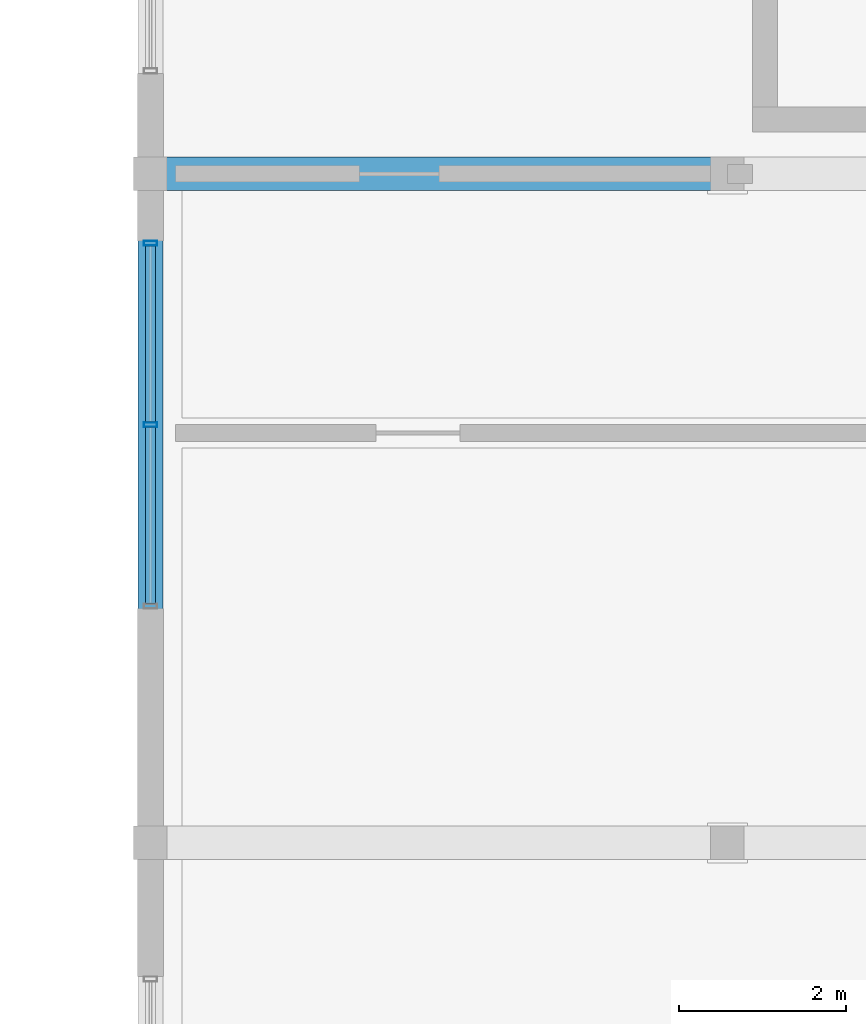
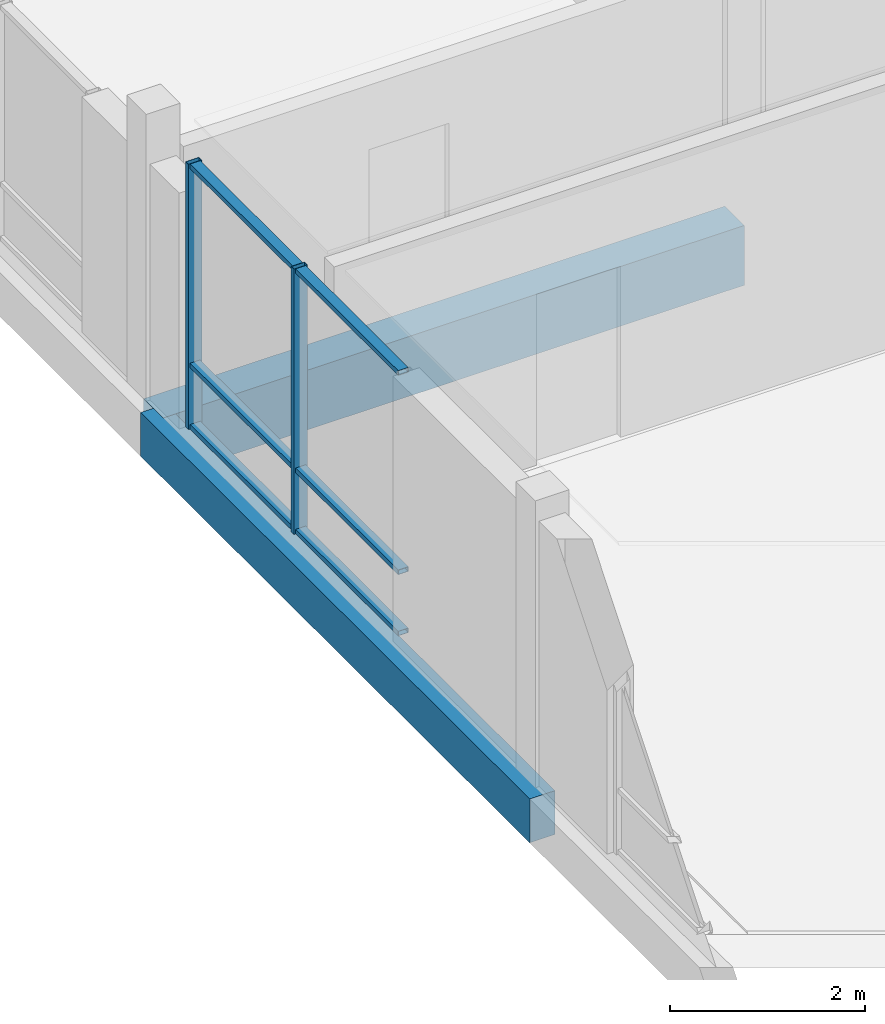
# One storey, part 68 of 189: 8 members, 2 beams, 1 element without a shape of its own.
"""IFC4 building model written with IfcOpenShell, lengths in metres."""

from ifc_helpers import new_model, si_unit, direction, frame, origin, origin_2d, place, context, subcontext, project, spatial, rectangle, hollow_rectangle, extrude, material, material_profile, profile_set, type_object, element, aggregate, save


model = new_model("IFC4")

# Units and contexts
model_context = context("Model", 3, precision=1e-05, world=origin(), true_north=direction((0.0, 1.0)))
body_context = subcontext(model_context, "Body", "Model", "MODEL_VIEW")
ifc_project = project(units=[si_unit("LENGTHUNIT", "METRE"), si_unit("AREAUNIT", "SQUARE_METRE"), si_unit("VOLUMEUNIT", "CUBIC_METRE"), si_unit("PLANEANGLEUNIT", "RADIAN"), si_unit("MASSUNIT", "GRAM", prefix="KILO")], contexts=[model_context])

# Site, building, storey
site_placement = place(None, origin())
site = spatial("IfcSite", under=ifc_project, at=site_placement, CompositionType="ELEMENT")
building_placement = place(site_placement, origin())
building = spatial("IfcBuilding", under=site, at=building_placement, Name="Zavelmont Quarter", CompositionType="ELEMENT")
storey_placement = place(building_placement, frame((0.0, 0.0, 4.39990234375)))
storey = spatial("IfcBuildingStorey", under=building, at=storey_placement, Name="L01", CompositionType="ELEMENT", Elevation=4.39990234375)

# Beams
ifc_material_1 = material(Name="Concrete C35/45", Category="concrete")
ifc_material_profile_1 = material_profile(ifc_material_1, rectangle(XDim=0.300048828125, YDim=0.550048828125, at=origin_2d()), Name="RC300X550")
ifc_profile_set_1 = profile_set([ifc_material_profile_1], Name="Concrete C35/45")
beam_type_1 = type_object("IfcBeamType", Name="BM02", PredefinedType="SPANDREL", material=ifc_profile_set_1)
beam_1_placement = place(storey_placement, frame((0.0, 70.0, -0.554931640625), z_axis=(0.0, 1.0, 0.0), x_axis=(-1.0, 0.0, 0.0)))
element("IfcBeam", 1, at=beam_1_placement, inside=storey, type_object=beam_type_1, Name="L01 beam BM02 1/L to 1/M", PredefinedType="SPANDREL", context=body_context, shape_type="SweptSolid", body=[
    extrude(rectangle(XDim=0.300048828125, YDim=0.550048828125, at=origin_2d()), origin(), (0.0, 0.0, 1.0), 8.0),
])
ifc_material_2 = material(Name="Concrete C40/50", Category="concrete")
ifc_material_profile_2 = material_profile(ifc_material_2, rectangle(XDim=0.39990234375, YDim=0.75, at=origin_2d()), Name="RC400X750")
ifc_profile_set_2 = profile_set([ifc_material_profile_2], Name="Concrete C40/50")
beam_type_2 = type_object("IfcBeamType", Name="BM05", PredefinedType="BEAM", material=ifc_profile_set_2)
beam_2_placement = place(storey_placement, frame((0.0, 78.0, -0.65478515625), z_axis=(1.0, 0.0, 0.0), x_axis=(0.0, 1.0, 0.0)))
element("IfcBeam", 2, at=beam_2_placement, inside=storey, type_object=beam_type_2, Name="L01 beam BM05 1/M to 2/M", PredefinedType="BEAM", context=body_context, shape_type="SweptSolid", body=[
    extrude(rectangle(XDim=0.39990234375, YDim=0.75, at=origin_2d()), origin(), (0.0, 0.0, 1.0), 6.89990234375),
])

# Curtain wall, members
ifc_material_3 = material(Name="Thermally broken aluminium and double low-E safety glazing", Category="aluminium")
curtain_wall_type = type_object("IfcCurtainWallType", Name="CW-440X333", PredefinedType="NOTDEFINED", material=ifc_material_3)
curtain_wall_placement = place(storey_placement, origin())
curtain_wall = element("IfcCurtainWall", 3, at=curtain_wall_placement, inside=storey, type_object=curtain_wall_type, Name="L01 unitised curtain wall CW-440X333", PredefinedType="NOTDEFINED")
ifc_material_4 = material(Name="Powder-coated aluminium EN AW-6063-T6", Category="aluminium")
ifc_material_profile_3 = material_profile(ifc_material_4, hollow_rectangle(XDim=0.06005859375, YDim=0.159912109375, WallThickness=0.00390625, at=origin_2d()), Name="CWM60X160")
ifc_profile_set_3 = profile_set([ifc_material_profile_3], Name="Powder-coated aluminium EN AW-6063-T6")
member_type_1 = type_object("IfcMemberType", Name="CWM01", PredefinedType="MULLION", material=ifc_profile_set_3)
member_1_placement = place(storey_placement, frame((0.0, 75.0, 0.0), z_axis=(0.0, 0.0, 1.0), x_axis=(0.0, 1.0, 0.0)))
member_1 = element("IfcMember", 4, at=member_1_placement, type_object=member_type_1, Name="CW-440X333 mullion 2", PredefinedType="MULLION", context=body_context, shape_type="SweptSolid", body=[
    extrude(hollow_rectangle(XDim=0.06005859375, YDim=0.159912109375, WallThickness=0.00390625, at=origin_2d()), origin(), (0.0, 0.0, 1.0), 3.330078125),
])
member_2_placement = place(storey_placement, frame((0.0, 77.169921875, 0.0), z_axis=(0.0, 0.0, 1.0), x_axis=(0.0, 1.0, 0.0)))
member_2 = element("IfcMember", 5, at=member_2_placement, type_object=member_type_1, Name="CW-440X333 mullion 3", PredefinedType="MULLION", context=body_context, shape_type="SweptSolid", body=[
    extrude(hollow_rectangle(XDim=0.06005859375, YDim=0.159912109375, WallThickness=0.00390625, at=origin_2d()), origin(), (0.0, 0.0, 1.0), 3.330078125),
])
ifc_material_profile_4 = material_profile(ifc_material_4, hollow_rectangle(XDim=0.1201171875, YDim=0.06005859375, WallThickness=0.00390625, at=origin_2d()), Name="CWT60X120")
ifc_profile_set_4 = profile_set([ifc_material_profile_4], Name="Powder-coated aluminium EN AW-6063-T6")
member_type_2 = type_object("IfcMemberType", Name="CWT01", PredefinedType="NOTDEFINED", material=ifc_profile_set_4)
member_3_placement = place(storey_placement, frame((0.0, 72.860107421875, 0.030029296875), z_axis=(0.0, 1.0, 0.0), x_axis=(-1.0, 0.0, 0.0)))
member_3 = element("IfcMember", 6, at=member_3_placement, type_object=member_type_2, Name="CW-440X333 transom 1.1", ObjectType="TRANSOM", PredefinedType="USERDEFINED", context=body_context, shape_type="SweptSolid", body=[
    extrude(hollow_rectangle(XDim=0.1201171875, YDim=0.06005859375, WallThickness=0.00390625, at=origin_2d()), origin(), (0.0, 0.0, 1.0), 2.10986328125),
])
member_4_placement = place(storey_placement, frame((0.0, 72.860107421875, 0.799072265625), z_axis=(0.0, 1.0, 0.0), x_axis=(-1.0, 0.0, 0.0)))
member_4 = element("IfcMember", 7, at=member_4_placement, type_object=member_type_2, Name="CW-440X333 transom 1.2", ObjectType="TRANSOM", PredefinedType="USERDEFINED", context=body_context, shape_type="SweptSolid", body=[
    extrude(hollow_rectangle(XDim=0.1201171875, YDim=0.06005859375, WallThickness=0.00390625, at=origin_2d()), origin(), (0.0, 0.0, 1.0), 2.10986328125),
])
member_5_placement = place(storey_placement, frame((0.0, 72.860107421875, 3.300048828125), z_axis=(0.0, 1.0, 0.0), x_axis=(-1.0, 0.0, 0.0)))
member_5 = element("IfcMember", 8, at=member_5_placement, type_object=member_type_2, Name="CW-440X333 transom 1.3", ObjectType="TRANSOM", PredefinedType="USERDEFINED", context=body_context, shape_type="SweptSolid", body=[
    extrude(hollow_rectangle(XDim=0.1201171875, YDim=0.06005859375, WallThickness=0.00390625, at=origin_2d()), origin(), (0.0, 0.0, 1.0), 2.10986328125),
])
member_6_placement = place(storey_placement, frame((0.0, 75.030029296875, 0.030029296875), z_axis=(0.0, 1.0, 0.0), x_axis=(-1.0, 0.0, 0.0)))
member_6 = element("IfcMember", 9, at=member_6_placement, type_object=member_type_2, Name="CW-440X333 transom 2.1", ObjectType="TRANSOM", PredefinedType="USERDEFINED", context=body_context, shape_type="SweptSolid", body=[
    extrude(hollow_rectangle(XDim=0.1201171875, YDim=0.06005859375, WallThickness=0.00390625, at=origin_2d()), origin(), (0.0, 0.0, 1.0), 2.10986328125),
])
member_7_placement = place(storey_placement, frame((0.0, 75.030029296875, 0.799072265625), z_axis=(0.0, 1.0, 0.0), x_axis=(-1.0, 0.0, 0.0)))
member_7 = element("IfcMember", 10, at=member_7_placement, type_object=member_type_2, Name="CW-440X333 transom 2.2", ObjectType="TRANSOM", PredefinedType="USERDEFINED", context=body_context, shape_type="SweptSolid", body=[
    extrude(hollow_rectangle(XDim=0.1201171875, YDim=0.06005859375, WallThickness=0.00390625, at=origin_2d()), origin(), (0.0, 0.0, 1.0), 2.10986328125),
])
member_8_placement = place(storey_placement, frame((0.0, 75.030029296875, 3.300048828125), z_axis=(0.0, 1.0, 0.0), x_axis=(-1.0, 0.0, 0.0)))
member_8 = element("IfcMember", 11, at=member_8_placement, type_object=member_type_2, Name="CW-440X333 transom 2.3", ObjectType="TRANSOM", PredefinedType="USERDEFINED", context=body_context, shape_type="SweptSolid", body=[
    extrude(hollow_rectangle(XDim=0.1201171875, YDim=0.06005859375, WallThickness=0.00390625, at=origin_2d()), origin(), (0.0, 0.0, 1.0), 2.10986328125),
])
aggregate(curtain_wall, [member_1, member_2, member_3, member_4, member_5, member_6, member_7, member_8])

save(model, "model.ifc")
